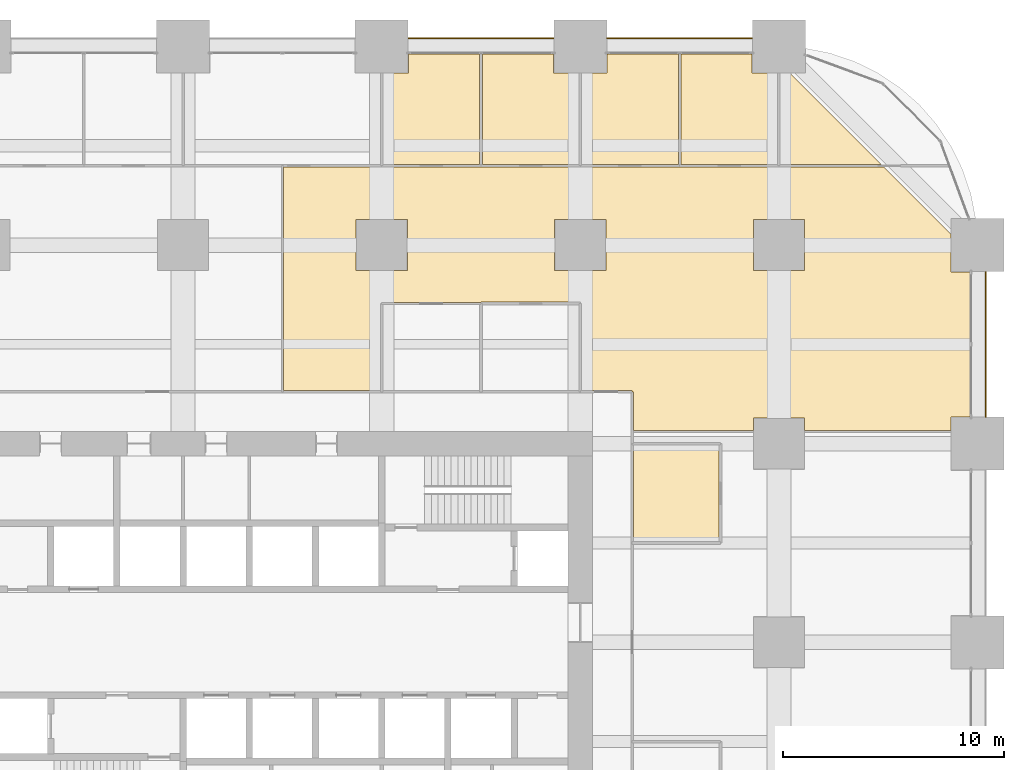
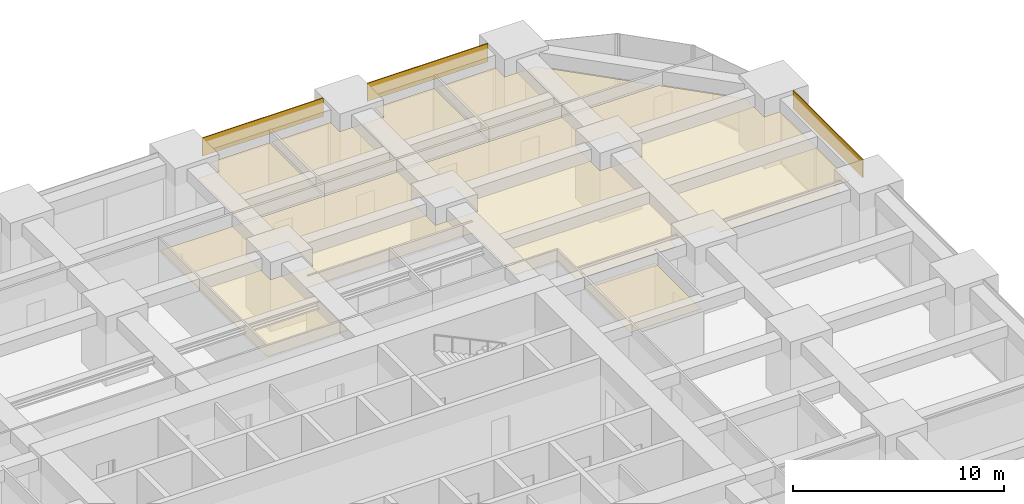
# One storey, part 45 of 45: 10 coverings.
"""IFC4 building model written with IfcOpenShell, lengths in metres."""

from ifc_helpers import new_model, si_unit, direction, frame, frame_2d, origin, place, context, subcontext, project, spatial, polyline, rectangle, outline, extrude, material, layer, layer_set, type_object, element, save


model = new_model("IFC4")

# Units and contexts
model_context = context("Model", 3, precision=1e-05, world=origin(), true_north=direction((0.0, 1.0)))
body_context = subcontext(model_context, "Body", "Model", "MODEL_VIEW")
ifc_project = project(units=[si_unit("LENGTHUNIT", "METRE"), si_unit("AREAUNIT", "SQUARE_METRE"), si_unit("VOLUMEUNIT", "CUBIC_METRE"), si_unit("PLANEANGLEUNIT", "RADIAN"), si_unit("MASSUNIT", "GRAM", prefix="KILO")], contexts=[model_context])

# Site, building, storey
site_placement = place(None, origin())
site = spatial("IfcSite", under=ifc_project, at=site_placement, CompositionType="ELEMENT")
building_placement = place(site_placement, origin())
building = spatial("IfcBuilding", under=site, at=building_placement, Name="Zorevar Civic Tower", CompositionType="ELEMENT")
storey_placement = place(building_placement, frame((0.0, 0.0, 47.800048828125)))
storey = spatial("IfcBuildingStorey", under=building, at=storey_placement, Name="L11", CompositionType="ELEMENT", Elevation=47.800048828125)

# Coverings
ifc_material_1 = material(Name="Black anodised aluminium spandrel panel", Category="aluminium")
ifc_layer_1 = layer(ifc_material_1, 0.050048828125)
ifc_layer_set_1 = layer_set([ifc_layer_1], Name="Spandrel cladding SP1")
covering_type_1 = type_object("IfcCoveringType", Name="Spandrel cladding SP1", PredefinedType="CLADDING", material=ifc_layer_set_1)
for number, where, z_axis, x_axis, name in (
    (1, (37.199951171875, 54.375, 2.949951171875), (0.0, 0.0, 1.0), (1.0, 0.0, 0.0), "Spandrel cladding L12"),
    (2, (46.199951171875, 54.375, 2.949951171875), (0.0, 0.0, 1.0), (1.0, 0.0, 0.0), "Spandrel cladding L12"),
    (3, (63.375, 37.199951171875, 2.949951171875), (0.0, 0.0, 1.0), (0.0, 1.0, 0.0), "Spandrel cladding L12"),
):
    element("IfcCovering", number, at=place(storey_placement, frame(where, z_axis=z_axis, x_axis=x_axis)), inside=storey, type_object=covering_type_1, Name=name, PredefinedType="CLADDING", context=body_context, shape_type="SweptSolid", body=[
        extrude(rectangle(XDim=6.60009765625, YDim=0.050048828125, at=frame_2d((3.300048828125, 0.0))), origin(), (0.0, 0.0, 1.0), 1.050048828125),
    ])
ifc_material_2 = material(Name="Mineral fibre tiles on a concealed grid")
ifc_layer_2 = layer(ifc_material_2, 0.02001953125)
ifc_layer_set_2 = layer_set([ifc_layer_2], Name="Suspended ceiling SC1")
covering_type_2 = type_object("IfcCoveringType", Name="Suspended ceiling SC1", PredefinedType="CEILING", material=ifc_layer_set_2)
covering_1_placement = place(storey_placement, frame((0.0, 0.0, 3.0)))
element("IfcCovering", 4, at=covering_1_placement, inside=storey, type_object=covering_type_2, Name="Ceiling L11-31", PredefinedType="CEILING", context=body_context, shape_type="SweptSolid", body=[
    extrude(outline(polyline([(36.06005859375, 48.659912109375), (36.06005859375, 52.7900390625), (37.2099609375, 52.7900390625), (37.2099609375, 53.64990234375), (40.43994140625, 53.64990234375), (40.43994140625, 48.659912109375), (36.06005859375, 48.659912109375)])), origin(), (0.0, 0.0, 1.0), 0.02001953125),
])
covering_2_placement = place(storey_placement, frame((0.0, 0.0, 3.0)))
element("IfcCovering", 5, at=covering_2_placement, inside=storey, type_object=covering_type_2, Name="Ceiling L11-32", PredefinedType="CEILING", context=body_context, shape_type="SweptSolid", body=[
    extrude(outline(polyline([(40.56005859375, 48.659912109375), (40.56005859375, 53.64990234375), (43.7900390625, 53.64990234375), (43.7900390625, 52.7900390625), (44.93994140625, 52.7900390625), (44.93994140625, 48.659912109375), (40.56005859375, 48.659912109375)])), origin(), (0.0, 0.0, 1.0), 0.02001953125),
])
covering_3_placement = place(storey_placement, frame((0.0, 0.0, 3.0)))
element("IfcCovering", 6, at=covering_3_placement, inside=storey, type_object=covering_type_2, Name="Ceiling L11-33", PredefinedType="CEILING", context=body_context, shape_type="SweptSolid", body=[
    extrude(outline(polyline([(45.06005859375, 48.659912109375), (45.06005859375, 52.7900390625), (46.2099609375, 52.7900390625), (46.2099609375, 53.64990234375), (49.43994140625, 53.64990234375), (49.43994140625, 48.659912109375), (45.06005859375, 48.659912109375)])), origin(), (0.0, 0.0, 1.0), 0.02001953125),
])
covering_4_placement = place(storey_placement, frame((0.0, 0.0, 3.0)))
element("IfcCovering", 7, at=covering_4_placement, inside=storey, type_object=covering_type_2, Name="Ceiling L11-34", PredefinedType="CEILING", context=body_context, shape_type="SweptSolid", body=[
    extrude(outline(polyline([(49.56005859375, 48.659912109375), (49.56005859375, 53.64990234375), (52.7900390625, 53.64990234375), (52.7900390625, 52.7900390625), (53.93994140625, 52.7900390625), (53.93994140625, 48.659912109375), (49.56005859375, 48.659912109375)])), origin(), (0.0, 0.0, 1.0), 0.02001953125),
])
covering_5_placement = place(storey_placement, frame((0.0, 0.0, 3.0)))
element("IfcCovering", 8, at=covering_5_placement, inside=storey, type_object=covering_type_2, Name="Ceiling L11-39", PredefinedType="CEILING", context=body_context, shape_type="SweptSolid", body=[
    extrude(outline(polyline([(51.2900390625, 31.56005859375), (47.409912109375, 31.56005859375), (47.409912109375, 35.93994140625), (51.2900390625, 35.93994140625), (51.2900390625, 31.56005859375)])), origin(), (0.0, 0.0, 1.0), 0.02001953125),
])
covering_6_placement = place(storey_placement, frame((0.0, 0.0, 3.0)))
element("IfcCovering", 9, at=covering_6_placement, inside=storey, type_object=covering_type_2, Name="Ceiling L11-43", PredefinedType="CEILING", context=body_context, shape_type="SweptSolid", body=[
    extrude(outline(polyline([(54.06005859375, 48.659912109375), (54.06005859375, 52.7900390625), (54.5029296875, 52.7900390625), (58.6328125, 48.659912109375), (54.06005859375, 48.659912109375)])), origin(), (0.0, 0.0, 1.0), 0.02001953125),
])
covering_7_placement = place(storey_placement, frame((0.0, 0.0, 3.0)))
element("IfcCovering", 10, at=covering_7_placement, inside=storey, type_object=covering_type_2, Name="Ceiling L11-47", PredefinedType="CEILING", context=body_context, shape_type="SweptSolid", body=[
    extrude(outline(polyline([(45.06005859375, 42.35009765625), (45.0, 42.35009765625), (45.0, 42.409912109375), (40.5, 42.409912109375), (40.5, 42.39990234375), (36.0, 42.39990234375), (36.0, 42.35009765625), (35.93994140625, 42.35009765625), (35.93994140625, 38.39990234375), (31.550048828125, 38.39990234375), (31.550048828125, 48.5400390625), (58.7529296875, 48.5400390625), (61.7900390625, 45.5029296875), (61.7900390625, 43.7900390625), (62.64990234375, 43.7900390625), (62.64990234375, 37.2099609375), (61.7900390625, 37.2099609375), (61.7900390625, 36.60009765625), (55.159912109375, 36.60009765625), (55.159912109375, 37.159912109375), (52.840087890625, 37.159912109375), (52.840087890625, 36.60009765625), (47.39990234375, 36.60009765625), (47.39990234375, 38.35009765625), (47.35009765625, 38.35009765625), (47.35009765625, 38.39990234375), (45.06005859375, 38.39990234375), (45.06005859375, 42.35009765625)]), holes=[polyline([(34.840087890625, 43.840087890625), (37.159912109375, 43.840087890625), (37.159912109375, 46.159912109375), (34.840087890625, 46.159912109375), (34.840087890625, 43.840087890625)]), polyline([(43.840087890625, 46.159912109375), (43.840087890625, 43.840087890625), (46.159912109375, 43.840087890625), (46.159912109375, 46.159912109375), (43.840087890625, 46.159912109375)]), polyline([(55.159912109375, 43.840087890625), (55.159912109375, 46.159912109375), (52.840087890625, 46.159912109375), (52.840087890625, 43.840087890625), (55.159912109375, 43.840087890625)])]), origin(), (0.0, 0.0, 1.0), 0.02001953125),
])

save(model, "model.ifc")
